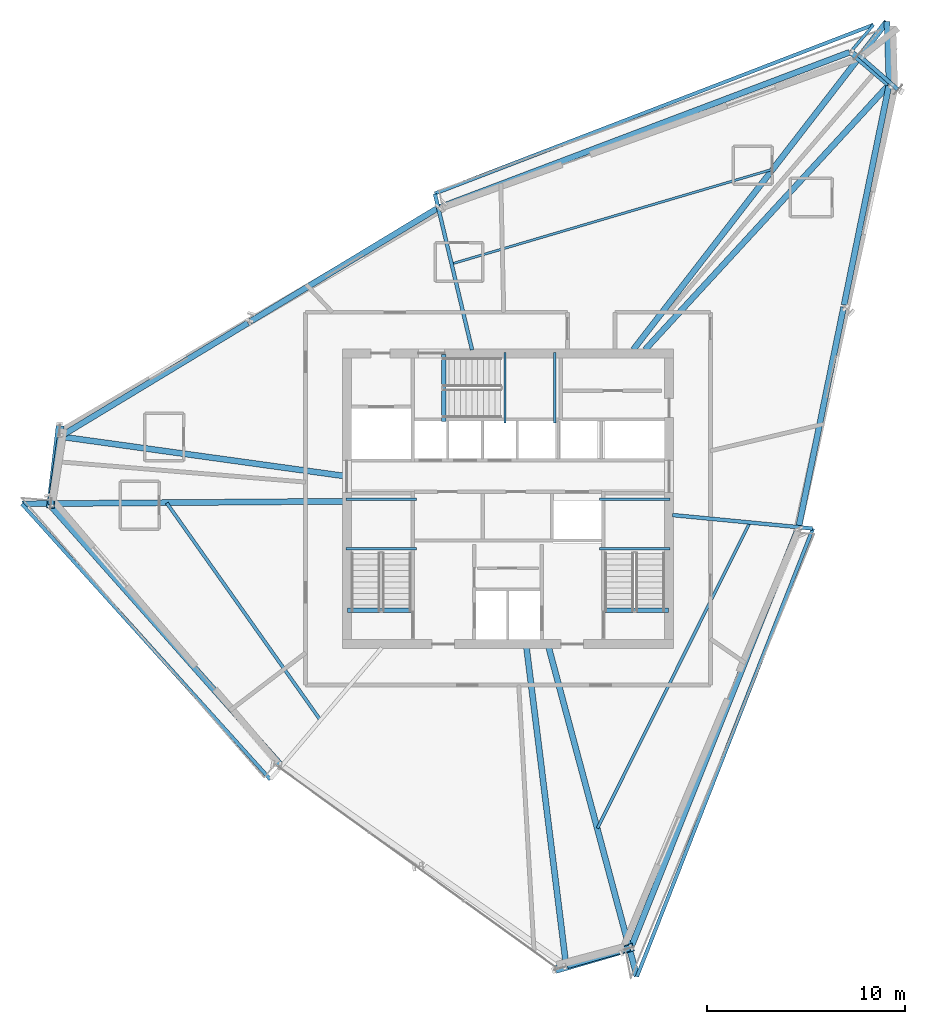
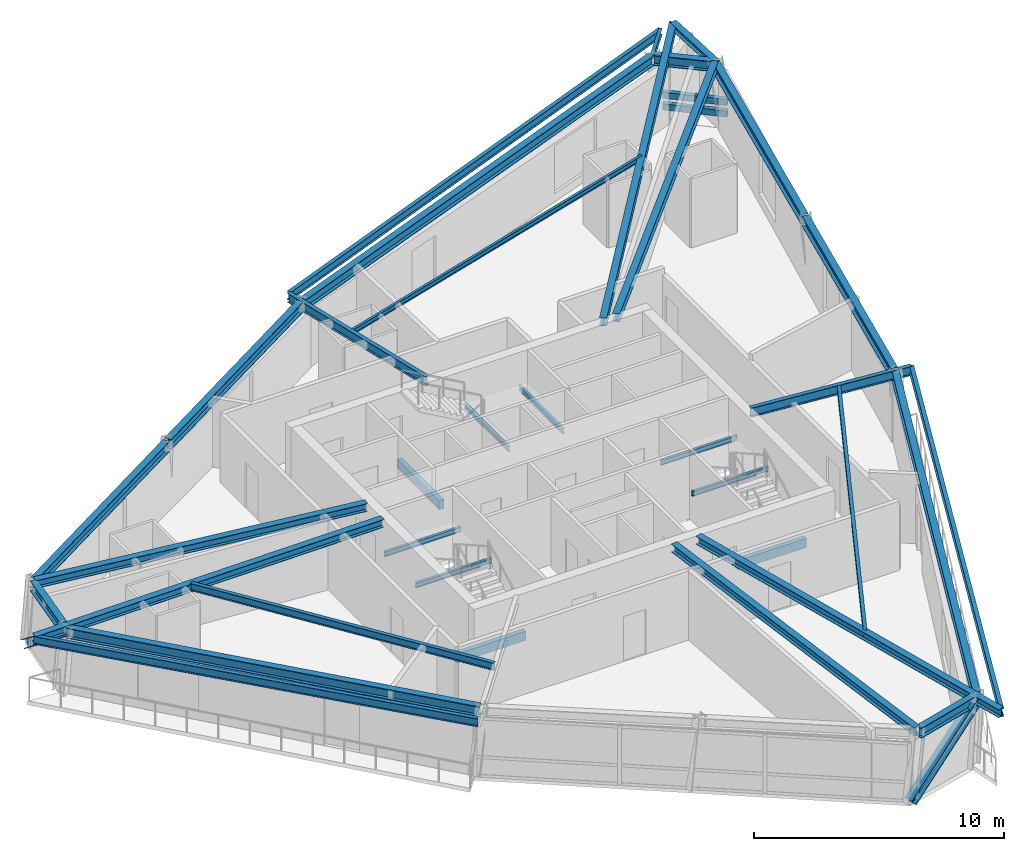
# One storey, part 4 of 14: 35 beams, 4 members.
"""IFC4 building model written with IfcOpenShell, lengths in metres."""

from ifc_helpers import new_model, si_unit, direction, frame, origin, origin_2d, place, context, subcontext, project, spatial, rectangle, hollow_rectangle, i_section, extrude, source, transform, mapped, material, material_profile, profile_set, type_object, element, save


model = new_model("IFC4")

# Units and contexts
model_context = context("Model", 3, precision=1e-05, world=origin(), true_north=direction((0.0, 1.0)))
body_context = subcontext(model_context, "Body", "Model", "MODEL_VIEW")
ifc_project = project(units=[si_unit("LENGTHUNIT", "METRE"), si_unit("AREAUNIT", "SQUARE_METRE"), si_unit("VOLUMEUNIT", "CUBIC_METRE"), si_unit("PLANEANGLEUNIT", "RADIAN"), si_unit("MASSUNIT", "GRAM", prefix="KILO")], contexts=[model_context])

# Site, building, storey
site_placement = place(None, origin())
site = spatial("IfcSite", under=ifc_project, at=site_placement, CompositionType="ELEMENT")
building_placement = place(site_placement, origin())
building = spatial("IfcBuilding", under=site, at=building_placement, Name="Olszyna Solenne Hotel", CompositionType="ELEMENT")
storey_placement = place(building_placement, frame((0.0, 0.0, 234.5)))
storey = spatial("IfcBuildingStorey", under=building, at=storey_placement, Name="L62", CompositionType="ELEMENT", Elevation=234.5)

# Beams
ifc_material_1 = material(Name="Steel S355J2", Category="steel")
ifc_material_profile_1 = material_profile(ifc_material_1, i_section(OverallWidth=0.14990234375, OverallDepth=0.300048828125, WebThickness=0.007080078125, FlangeThickness=0.0107421875, at=origin_2d()), Name="IPE 300", Category="load-bearing")
ifc_profile_set_1 = profile_set([ifc_material_profile_1], Name="Steel S355J2")
beam_type_1 = type_object("IfcBeamType", Name="JS-02", PredefinedType="JOIST", material=ifc_profile_set_1)
shared_shape_1 = source(origin(), body_context, "Body", "SweptSolid", [
    extrude(i_section(OverallWidth=0.14990234375, OverallDepth=0.300048828125, WebThickness=0.007080078125, FlangeThickness=0.0107421875, at=origin_2d()), origin(), (0.0, 0.0, 1.0), 1.760986328125),
])
beam_1_placement = place(storey_placement, frame((55.291015625, 49.144775390625, 3.22998046875), z_axis=(0.643845386227, 0.765155617267, 0.0), x_axis=(-0.765155617267, 0.643845386227, 0.0)))
element("IfcBeam", 1, at=beam_1_placement, inside=storey, type_object=beam_type_1, Name="Loggia side bracket JS-02 B-L62-1851", PredefinedType="JOIST", context=body_context, shape_type="MappedRepresentation", body=[
    mapped(shared_shape_1, transform((0.0, 0.0, 0.0), x_axis=(1.0, 0.0, 0.0), y_axis=(0.0, 1.0, 0.0), z_axis=(0.0, 0.0, 1.0), scale=1.0)),
])
ifc_material_profile_2 = material_profile(ifc_material_1, i_section(OverallWidth=0.300048828125, OverallDepth=0.5, WebThickness=0.014404296875, FlangeThickness=0.028076171875, at=origin_2d()), Name="HEB 500", Category="load-bearing")
ifc_profile_set_2 = profile_set([ifc_material_profile_2], Name="Steel S355J2")
beam_type_2 = type_object("IfcBeamType", Name="BM-S3", PredefinedType="BEAM", material=ifc_profile_set_2)
shared_shape_2 = source(origin(), body_context, "Body", "SweptSolid", [
    extrude(i_section(OverallWidth=0.300048828125, OverallDepth=0.5, WebThickness=0.014404296875, FlangeThickness=0.028076171875, at=origin_2d()), origin(), (0.0, 0.0, 1.0), 2.42236328125),
])
beam_2_placement = place(storey_placement, frame((57.169921875, 47.522216796875, 3.1298828125), z_axis=(-0.762031317947, 0.647540169, 0.0), x_axis=(-0.647540169, -0.762031317947, 0.0)))
element("IfcBeam", 2, at=beam_2_placement, inside=storey, type_object=beam_type_2, Name="Perimeter spandrel beam BM-S3 B-L62-1825", PredefinedType="BEAM", context=body_context, shape_type="MappedRepresentation", body=[
    mapped(shared_shape_2, transform((0.0, 0.0, 0.0), x_axis=(1.0, 0.0, 0.0), y_axis=(0.0, 1.0, 0.0), z_axis=(0.0, 0.0, 1.0), scale=1.0)),
])
shared_shape_3 = source(origin(), body_context, "Body", "SweptSolid", [
    extrude(i_section(OverallWidth=0.300048828125, OverallDepth=0.5, WebThickness=0.014404296875, FlangeThickness=0.028076171875, at=origin_2d()), origin(), (0.0, 0.0, 1.0), 22.13330078125),
])
beam_3_placement = place(storey_placement, frame((55.22216796875, 49.1083984375, 3.1298828125), z_axis=(-0.935270567241, -0.353933561636, 0.0), x_axis=(0.353933561636, -0.935270567241, 0.0)))
element("IfcBeam", 3, at=beam_3_placement, inside=storey, type_object=beam_type_2, Name="Perimeter spandrel beam BM-S3 B-L62-1826", PredefinedType="BEAM", context=body_context, shape_type="MappedRepresentation", body=[
    mapped(shared_shape_3, transform((0.0, 0.0, 0.0), x_axis=(1.0, 0.0, 0.0), y_axis=(0.0, 1.0, 0.0), z_axis=(0.0, 0.0, 1.0), scale=1.0)),
])
shared_shape_4 = source(origin(), body_context, "Body", "SweptSolid", [
    extrude(i_section(OverallWidth=0.300048828125, OverallDepth=0.5, WebThickness=0.014404296875, FlangeThickness=0.028076171875, at=origin_2d()), origin(), (0.0, 0.0, 1.0), 11.006591796875),
])
beam_4_placement = place(storey_placement, frame((34.4140625, 41.222412109375, 3.1298828125), z_axis=(-0.855555150822, -0.517711680283, 0.0), x_axis=(0.517711680283, -0.855555150822, 0.0)))
element("IfcBeam", 4, at=beam_4_placement, inside=storey, type_object=beam_type_2, Name="Perimeter spandrel beam BM-S3 B-L62-1827", PredefinedType="BEAM", context=body_context, shape_type="MappedRepresentation", body=[
    mapped(shared_shape_4, transform((0.0, 0.0, 0.0), x_axis=(1.0, 0.0, 0.0), y_axis=(0.0, 1.0, 0.0), z_axis=(0.0, 0.0, 1.0), scale=1.0)),
])
shared_shape_5 = source(origin(), body_context, "Body", "SweptSolid", [
    extrude(i_section(OverallWidth=0.300048828125, OverallDepth=0.5, WebThickness=0.014404296875, FlangeThickness=0.028076171875, at=origin_2d()), origin(), (0.0, 0.0, 1.0), 11.0068359375),
])
beam_5_placement = place(storey_placement, frame((24.894775390625, 35.4619140625, 3.1298828125), z_axis=(-0.855561095806, -0.51770185565, 0.0), x_axis=(0.51770185565, -0.855561095806, 0.0)))
element("IfcBeam", 5, at=beam_5_placement, inside=storey, type_object=beam_type_2, Name="Perimeter spandrel beam BM-S3 B-L62-1828", PredefinedType="BEAM", context=body_context, shape_type="MappedRepresentation", body=[
    mapped(shared_shape_5, transform((0.0, 0.0, 0.0), x_axis=(1.0, 0.0, 0.0), y_axis=(0.0, 1.0, 0.0), z_axis=(0.0, 0.0, 1.0), scale=1.0)),
])
shared_shape_6 = source(origin(), body_context, "Body", "SweptSolid", [
    extrude(i_section(OverallWidth=0.300048828125, OverallDepth=0.5, WebThickness=0.014404296875, FlangeThickness=0.028076171875, at=origin_2d()), origin(), (0.0, 0.0, 1.0), 3.403564453125),
])
beam_6_placement = place(storey_placement, frame((15.41845703125, 29.673095703125, 3.1298828125), z_axis=(-0.137433490531, -0.990510997254, 0.0), x_axis=(0.990510997254, -0.137433490531, 0.0)))
element("IfcBeam", 6, at=beam_6_placement, inside=storey, type_object=beam_type_2, Name="Perimeter spandrel beam BM-S3 B-L62-1829", PredefinedType="BEAM", context=body_context, shape_type="MappedRepresentation", body=[
    mapped(shared_shape_6, transform((0.0, 0.0, 0.0), x_axis=(1.0, 0.0, 0.0), y_axis=(0.0, 1.0, 0.0), z_axis=(0.0, 0.0, 1.0), scale=1.0)),
])
shared_shape_7 = source(origin(), body_context, "Body", "SweptSolid", [
    extrude(i_section(OverallWidth=0.300048828125, OverallDepth=0.5, WebThickness=0.014404296875, FlangeThickness=0.028076171875, at=origin_2d()), origin(), (0.0, 0.0, 1.0), 17.41748046875),
])
beam_7_placement = place(storey_placement, frame((14.982177734375, 26.197509765625, 3.1298828125), z_axis=(0.664123679476, -0.747622724614, 0.0), x_axis=(0.747622724614, 0.664123679476, 0.0)))
element("IfcBeam", 7, at=beam_7_placement, inside=storey, type_object=beam_type_2, Name="Perimeter spandrel beam BM-S3 B-L62-1830", PredefinedType="BEAM", context=body_context, shape_type="MappedRepresentation", body=[
    mapped(shared_shape_7, transform((0.0, 0.0, 0.0), x_axis=(1.0, 0.0, 0.0), y_axis=(0.0, 1.0, 0.0), z_axis=(0.0, 0.0, 1.0), scale=1.0)),
])
shared_shape_8 = source(origin(), body_context, "Body", "SweptSolid", [
    extrude(i_section(OverallWidth=0.300048828125, OverallDepth=0.5, WebThickness=0.014404296875, FlangeThickness=0.028076171875, at=origin_2d()), origin(), (0.0, 0.0, 1.0), 3.274169921875),
])
beam_8_placement = place(storey_placement, frame((40.993408203125, 3.060302734375, 3.1298828125), z_axis=(0.96220752043, 0.272317255472, 0.0), x_axis=(-0.272317255472, 0.96220752043, 0.0)))
element("IfcBeam", 8, at=beam_8_placement, inside=storey, type_object=beam_type_2, Name="Perimeter spandrel beam BM-S3 B-L62-1833", PredefinedType="BEAM", context=body_context, shape_type="MappedRepresentation", body=[
    mapped(shared_shape_8, transform((0.0, 0.0, 0.0), x_axis=(1.0, 0.0, 0.0), y_axis=(0.0, 1.0, 0.0), z_axis=(0.0, 0.0, 1.0), scale=1.0)),
])
shared_shape_9 = source(origin(), body_context, "Body", "SweptSolid", [
    extrude(i_section(OverallWidth=0.300048828125, OverallDepth=0.5, WebThickness=0.014404296875, FlangeThickness=0.028076171875, at=origin_2d()), origin(), (0.0, 0.0, 1.0), 22.680419921875),
])
beam_9_placement = place(storey_placement, frame((44.2236328125, 4.023681640625, 3.1298828125), z_axis=(0.370564639738, 0.928806679442, 0.0), x_axis=(-0.928806679442, 0.370564639738, 0.0)))
element("IfcBeam", 9, at=beam_9_placement, inside=storey, type_object=beam_type_2, Name="Perimeter spandrel beam BM-S3 B-L62-1834", PredefinedType="BEAM", context=body_context, shape_type="MappedRepresentation", body=[
    mapped(shared_shape_9, transform((0.0, 0.0, 0.0), x_axis=(1.0, 0.0, 0.0), y_axis=(0.0, 1.0, 0.0), z_axis=(0.0, 0.0, 1.0), scale=1.0)),
])
shared_shape_10 = source(origin(), body_context, "Body", "SweptSolid", [
    extrude(i_section(OverallWidth=0.300048828125, OverallDepth=0.5, WebThickness=0.014404296875, FlangeThickness=0.028076171875, at=origin_2d()), origin(), (0.0, 0.0, 1.0), 11.2802734375),
])
for number, where, z_axis, x_axis, name in (
    (10, (52.662353515625, 25.203857421875, 3.1298828125), (0.200222485417, 0.979750456154, 0.0), (-0.979750456154, 0.200222485417, 0.0), "Perimeter spandrel beam BM-S3 B-L62-1835"),
    (11, (54.945068359375, 36.373046875, 3.1298828125), (0.200222485417, 0.979750456154, 0.0), (-0.979750456154, 0.200222485417, 0.0), "Perimeter spandrel beam BM-S3 B-L62-1836"),
):
    element("IfcBeam", number, at=place(storey_placement, frame(where, z_axis=z_axis, x_axis=x_axis)), inside=storey, type_object=beam_type_2, Name=name, PredefinedType="BEAM", context=body_context, shape_type="MappedRepresentation", body=[
        mapped(shared_shape_10, transform((0.0, 0.0, 0.0), x_axis=(1.0, 0.0, 0.0), y_axis=(0.0, 1.0, 0.0), z_axis=(0.0, 0.0, 1.0), scale=1.0)),
    ])
ifc_material_profile_3 = material_profile(ifc_material_1, i_section(OverallWidth=0.300048828125, OverallDepth=0.389892578125, WebThickness=0.010986328125, FlangeThickness=0.01904296875, at=origin_2d()), Name="HEA 400", Category="load-bearing")
ifc_profile_set_3 = profile_set([ifc_material_profile_3], Name="Steel S355J2")
beam_type_3 = type_object("IfcBeamType", Name="BM-G2", PredefinedType="BEAM", material=ifc_profile_set_3)
shared_shape_11 = source(origin(), body_context, "Body", "SweptSolid", [
    extrude(i_section(OverallWidth=0.300048828125, OverallDepth=0.389892578125, WebThickness=0.010986328125, FlangeThickness=0.01904296875, at=origin_2d()), origin(), (0.0, 0.0, 1.0), 18.10888671875),
])
beam_10_placement = place(storey_placement, frame((57.175048828125, 47.439208984375, 3.18505859375), z_axis=(-0.677119614393, -0.735872969883, 0.0), x_axis=(0.735872969883, -0.677119614393, 0.0)))
element("IfcBeam", 12, at=beam_10_placement, inside=storey, type_object=beam_type_3, Name="Radial floor girder BM-G2 B-L62-1837", PredefinedType="BEAM", context=body_context, shape_type="MappedRepresentation", body=[
    mapped(shared_shape_11, transform((0.0, 0.0, 0.0), x_axis=(1.0, 0.0, 0.0), y_axis=(0.0, 1.0, 0.0), z_axis=(0.0, 0.0, 1.0), scale=1.0)),
])
shared_shape_12 = source(origin(), body_context, "Body", "SweptSolid", [
    extrude(i_section(OverallWidth=0.300048828125, OverallDepth=0.389892578125, WebThickness=0.010986328125, FlangeThickness=0.01904296875, at=origin_2d()), origin(), (0.0, 0.0, 1.0), 20.895751953125),
])
beam_11_placement = place(storey_placement, frame((57.09619140625, 50.642333984375, 3.18505859375), z_axis=(-0.611691878758, -0.791096103809, 0.0), x_axis=(0.791096103809, -0.611691878758, 0.0)))
element("IfcBeam", 13, at=beam_11_placement, inside=storey, type_object=beam_type_3, Name="Radial floor girder BM-G2 B-L62-1838", PredefinedType="BEAM", context=body_context, shape_type="MappedRepresentation", body=[
    mapped(shared_shape_12, transform((0.0, 0.0, 0.0), x_axis=(1.0, 0.0, 0.0), y_axis=(0.0, 1.0, 0.0), z_axis=(0.0, 0.0, 1.0), scale=1.0)),
])
ifc_material_profile_4 = material_profile(ifc_material_1, i_section(OverallWidth=0.18994140625, OverallDepth=0.449951171875, WebThickness=0.009521484375, FlangeThickness=0.0146484375, at=origin_2d()), Name="IPE 450", Category="load-bearing")
ifc_profile_set_4 = profile_set([ifc_material_profile_4], Name="Steel S355J2")
beam_type_4 = type_object("IfcBeamType", Name="BM-F4", PredefinedType="BEAM", material=ifc_profile_set_4)
shared_shape_13 = source(origin(), body_context, "Body", "SweptSolid", [
    extrude(i_section(OverallWidth=0.18994140625, OverallDepth=0.449951171875, WebThickness=0.009521484375, FlangeThickness=0.0146484375, at=origin_2d()), origin(), (0.0, 0.0, 1.0), 8.08349609375),
])
beam_12_placement = place(storey_placement, frame((34.319091796875, 41.965087890625, 3.155029296875), z_axis=(0.231533418342, -0.972826950794, 0.0), x_axis=(0.972826950794, 0.231533418342, 0.0)))
element("IfcBeam", 14, at=beam_12_placement, inside=storey, type_object=beam_type_4, Name="Radial floor girder BM-F4 B-L62-1839", PredefinedType="BEAM", context=body_context, shape_type="MappedRepresentation", body=[
    mapped(shared_shape_13, transform((0.0, 0.0, 0.0), x_axis=(1.0, 0.0, 0.0), y_axis=(0.0, 1.0, 0.0), z_axis=(0.0, 0.0, 1.0), scale=1.0)),
])
shared_shape_14 = source(origin(), body_context, "Body", "SweptSolid", [
    extrude(i_section(OverallWidth=0.300048828125, OverallDepth=0.389892578125, WebThickness=0.010986328125, FlangeThickness=0.01904296875, at=origin_2d()), origin(), (0.0, 0.0, 1.0), 14.349609375),
])
beam_13_placement = place(storey_placement, frame((15.486083984375, 29.724365234375, 3.18505859375), z_axis=(0.990508108356, -0.137454309791, 0.0), x_axis=(0.137454309791, 0.990508108356, 0.0)))
element("IfcBeam", 15, at=beam_13_placement, inside=storey, type_object=beam_type_3, Name="Radial floor girder BM-G2 B-L62-1840", PredefinedType="BEAM", context=body_context, shape_type="MappedRepresentation", body=[
    mapped(shared_shape_14, transform((0.0, 0.0, 0.0), x_axis=(1.0, 0.0, 0.0), y_axis=(0.0, 1.0, 0.0), z_axis=(0.0, 0.0, 1.0), scale=1.0)),
])
shared_shape_15 = source(origin(), body_context, "Body", "SweptSolid", [
    extrude(i_section(OverallWidth=0.300048828125, OverallDepth=0.389892578125, WebThickness=0.010986328125, FlangeThickness=0.01904296875, at=origin_2d()), origin(), (0.0, 0.0, 1.0), 16.1865234375),
])
beam_14_placement = place(storey_placement, frame((13.513916015625, 26.34228515625, 3.18505859375), z_axis=(0.999968288533, 0.007963788596, 0.0), x_axis=(-0.007963788596, 0.999968288533, 0.0)))
element("IfcBeam", 16, at=beam_14_placement, inside=storey, type_object=beam_type_3, Name="Radial floor girder BM-G2 B-L62-1841", PredefinedType="BEAM", context=body_context, shape_type="MappedRepresentation", body=[
    mapped(shared_shape_15, transform((0.0, 0.0, 0.0), x_axis=(1.0, 0.0, 0.0), y_axis=(0.0, 1.0, 0.0), z_axis=(0.0, 0.0, 1.0), scale=1.0)),
])
shared_shape_16 = source(origin(), body_context, "Body", "SweptSolid", [
    extrude(i_section(OverallWidth=0.300048828125, OverallDepth=0.389892578125, WebThickness=0.010986328125, FlangeThickness=0.01904296875, at=origin_2d()), origin(), (0.0, 0.0, 1.0), 16.119873046875),
])
beam_15_placement = place(storey_placement, frame((40.92822265625, 3.103515625, 3.18505859375), z_axis=(-0.123661916815, 0.992324407807, 0.0), x_axis=(-0.992324407807, -0.123661916815, 0.0)))
element("IfcBeam", 17, at=beam_15_placement, inside=storey, type_object=beam_type_3, Name="Radial floor girder BM-G2 B-L62-1843", PredefinedType="BEAM", context=body_context, shape_type="MappedRepresentation", body=[
    mapped(shared_shape_16, transform((0.0, 0.0, 0.0), x_axis=(1.0, 0.0, 0.0), y_axis=(0.0, 1.0, 0.0), z_axis=(0.0, 0.0, 1.0), scale=1.0)),
])
shared_shape_17 = source(origin(), body_context, "Body", "SweptSolid", [
    extrude(i_section(OverallWidth=0.300048828125, OverallDepth=0.389892578125, WebThickness=0.010986328125, FlangeThickness=0.01904296875, at=origin_2d()), origin(), (0.0, 0.0, 1.0), 17.158203125),
])
beam_16_placement = place(storey_placement, frame((44.498046875, 2.52490234375, 3.18505859375), z_axis=(-0.258905826793, 0.965902569027, 0.0), x_axis=(-0.965902569027, -0.258905826793, 0.0)))
element("IfcBeam", 18, at=beam_16_placement, inside=storey, type_object=beam_type_3, Name="Radial floor girder BM-G2 B-L62-1844", PredefinedType="BEAM", context=body_context, shape_type="MappedRepresentation", body=[
    mapped(shared_shape_17, transform((0.0, 0.0, 0.0), x_axis=(1.0, 0.0, 0.0), y_axis=(0.0, 1.0, 0.0), z_axis=(0.0, 0.0, 1.0), scale=1.0)),
])
shared_shape_18 = source(origin(), body_context, "Body", "SweptSolid", [
    extrude(i_section(OverallWidth=0.18994140625, OverallDepth=0.449951171875, WebThickness=0.009521484375, FlangeThickness=0.0146484375, at=origin_2d()), origin(), (0.0, 0.0, 1.0), 7.0869140625),
])
beam_17_placement = place(storey_placement, frame((53.354736328125, 25.09716796875, 3.155029296875), z_axis=(-0.995406946013, 0.095734068281, 0.0), x_axis=(-0.095734068281, -0.995406946013, 0.0)))
element("IfcBeam", 19, at=beam_17_placement, inside=storey, type_object=beam_type_4, Name="Radial floor girder BM-F4 B-L62-1845", PredefinedType="BEAM", context=body_context, shape_type="MappedRepresentation", body=[
    mapped(shared_shape_18, transform((0.0, 0.0, 0.0), x_axis=(1.0, 0.0, 0.0), y_axis=(0.0, 1.0, 0.0), z_axis=(0.0, 0.0, 1.0), scale=1.0)),
])
ifc_material_profile_5 = material_profile(ifc_material_1, i_section(OverallWidth=0.300048828125, OverallDepth=0.31005859375, WebThickness=0.009033203125, FlangeThickness=0.015380859375, at=origin_2d()), Name="HEA 320", Category="load-bearing")
ifc_profile_set_5 = profile_set([ifc_material_profile_5], Name="Steel S355J2")
beam_type_5 = type_object("IfcBeamType", Name="BM-G3", PredefinedType="BEAM", material=ifc_profile_set_5)
shared_shape_19 = source(origin(), body_context, "Body", "SweptSolid", [
    extrude(i_section(OverallWidth=0.300048828125, OverallDepth=0.31005859375, WebThickness=0.009033203125, FlangeThickness=0.015380859375, at=origin_2d()), origin(), (0.0, 0.0, 1.0), 3.176513671875),
])
beam_18_placement = place(storey_placement, frame((57.2158203125, 47.4833984375, 3.22509765625), z_axis=(-0.033816390911, 0.999428062296, 0.0), x_axis=(-0.999428062296, -0.033816390911, 0.0)))
element("IfcBeam", 20, at=beam_18_placement, inside=storey, type_object=beam_type_5, Name="Prism side edge beam BM-G3 B-L62-1846", PredefinedType="BEAM", context=body_context, shape_type="MappedRepresentation", body=[
    mapped(shared_shape_19, transform((0.0, 0.0, 0.0), x_axis=(1.0, 0.0, 0.0), y_axis=(0.0, 1.0, 0.0), z_axis=(0.0, 0.0, 1.0), scale=1.0)),
])
ifc_material_profile_6 = material_profile(ifc_material_1, i_section(OverallWidth=0.1201171875, OverallDepth=0.239990234375, WebThickness=0.006103515625, FlangeThickness=0.009765625, at=origin_2d()), Name="IPE 240", Category="load-bearing")
ifc_profile_set_6 = profile_set([ifc_material_profile_6], Name="Steel S355J2")
beam_type_6 = type_object("IfcBeamType", Name="JS-03", PredefinedType="JOIST", material=ifc_profile_set_6)
shared_shape_20 = source(origin(), body_context, "Body", "SweptSolid", [
    extrude(i_section(OverallWidth=0.1201171875, OverallDepth=0.239990234375, WebThickness=0.006103515625, FlangeThickness=0.009765625, at=origin_2d()), origin(), (0.0, 0.0, 1.0), 16.841552734375),
])
beam_19_placement = place(storey_placement, frame((51.331787109375, 43.20654296875, 3.260009765625), z_axis=(-0.9591635082, -0.282852195569, 0.0), x_axis=(0.282852195569, -0.9591635082, 0.0)))
element("IfcBeam", 21, at=beam_19_placement, inside=storey, type_object=beam_type_6, Name="Secondary composite floor joist JS-03 B-L62-1847", PredefinedType="JOIST", context=body_context, shape_type="MappedRepresentation", body=[
    mapped(shared_shape_20, transform((0.0, 0.0, 0.0), x_axis=(1.0, 0.0, 0.0), y_axis=(0.0, 1.0, 0.0), z_axis=(0.0, 0.0, 1.0), scale=1.0)),
])
ifc_material_profile_7 = material_profile(ifc_material_1, i_section(OverallWidth=0.169921875, OverallDepth=0.360107421875, WebThickness=0.008056640625, FlangeThickness=0.0126953125, at=origin_2d()), Name="IPE 360", Category="load-bearing")
ifc_profile_set_7 = profile_set([ifc_material_profile_7], Name="Steel S355J2")
beam_type_7 = type_object("IfcBeamType", Name="JS-01", PredefinedType="JOIST", material=ifc_profile_set_7)
shared_shape_21 = source(origin(), body_context, "Body", "SweptSolid", [
    extrude(i_section(OverallWidth=0.169921875, OverallDepth=0.360107421875, WebThickness=0.008056640625, FlangeThickness=0.0126953125, at=origin_2d()), origin(), (0.0, 0.0, 1.0), 13.390625),
])
beam_20_placement = place(storey_placement, frame((20.79833984375, 26.3837890625, 3.199951171875), z_axis=(0.577655587875, -0.816280602365, 0.0), x_axis=(0.816280602365, 0.577655587875, 0.0)))
element("IfcBeam", 22, at=beam_20_placement, inside=storey, type_object=beam_type_7, Name="Secondary composite floor joist JS-01 B-L62-1848", PredefinedType="JOIST", context=body_context, shape_type="MappedRepresentation", body=[
    mapped(shared_shape_21, transform((0.0, 0.0, 0.0), x_axis=(1.0, 0.0, 0.0), y_axis=(0.0, 1.0, 0.0), z_axis=(0.0, 0.0, 1.0), scale=1.0)),
])
shared_shape_22 = source(origin(), body_context, "Body", "SweptSolid", [
    extrude(i_section(OverallWidth=0.14990234375, OverallDepth=0.300048828125, WebThickness=0.007080078125, FlangeThickness=0.0107421875, at=origin_2d()), origin(), (0.0, 0.0, 1.0), 17.198974609375),
])
beam_21_placement = place(storey_placement, frame((42.5107421875, 9.990234375, 3.22998046875), z_axis=(0.446037856608, 0.895014095125, 0.0), x_axis=(-0.895014095125, 0.446037856608, 0.0)))
element("IfcBeam", 23, at=beam_21_placement, inside=storey, type_object=beam_type_1, Name="Secondary composite floor joist JS-02 B-L62-1849", PredefinedType="JOIST", context=body_context, shape_type="MappedRepresentation", body=[
    mapped(shared_shape_22, transform((0.0, 0.0, 0.0), x_axis=(1.0, 0.0, 0.0), y_axis=(0.0, 1.0, 0.0), z_axis=(0.0, 0.0, 1.0), scale=1.0)),
])
ifc_material_profile_8 = material_profile(ifc_material_1, i_section(OverallWidth=0.179931640625, OverallDepth=0.39990234375, WebThickness=0.008544921875, FlangeThickness=0.013427734375, at=origin_2d()), Name="IPE 400", Category="load-bearing")
ifc_profile_set_8 = profile_set([ifc_material_profile_8], Name="Steel S355J2")
beam_type_8 = type_object("IfcBeamType", Name="BM-F5", PredefinedType="BEAM", material=ifc_profile_set_8)
shared_shape_23 = source(origin(), body_context, "Body", "SweptSolid", [
    extrude(i_section(OverallWidth=0.179931640625, OverallDepth=0.39990234375, WebThickness=0.008544921875, FlangeThickness=0.013427734375, at=origin_2d()), origin(), (0.0, 0.0, 1.0), 23.690673828125),
])
beam_22_placement = place(storey_placement, frame((56.4248046875, 50.4921875, 3.179931640625), z_axis=(-0.933294866876, -0.359110973743, 0.0), x_axis=(0.359110973743, -0.933294866876, 0.0)))
element("IfcBeam", 24, at=beam_22_placement, inside=storey, type_object=beam_type_8, Name="Loggia outer edge beam BM-F5 B-L62-1850", PredefinedType="BEAM", context=body_context, shape_type="MappedRepresentation", body=[
    mapped(shared_shape_23, transform((0.0, 0.0, 0.0), x_axis=(1.0, 0.0, 0.0), y_axis=(0.0, 1.0, 0.0), z_axis=(0.0, 0.0, 1.0), scale=1.0)),
])
shared_shape_24 = source(origin(), body_context, "Body", "SweptSolid", [
    extrude(i_section(OverallWidth=0.179931640625, OverallDepth=0.39990234375, WebThickness=0.008544921875, FlangeThickness=0.013427734375, at=origin_2d()), origin(), (0.0, 0.0, 1.0), 18.703125),
])
beam_23_placement = place(storey_placement, frame((13.493896484375, 26.342041015625, 3.179931640625), z_axis=(0.669529230476, -0.742785709029, 0.0), x_axis=(0.742785709029, 0.669529230476, 0.0)))
element("IfcBeam", 25, at=beam_23_placement, inside=storey, type_object=beam_type_8, Name="Loggia outer edge beam BM-F5 B-L62-1852", PredefinedType="BEAM", context=body_context, shape_type="MappedRepresentation", body=[
    mapped(shared_shape_24, transform((0.0, 0.0, 0.0), x_axis=(1.0, 0.0, 0.0), y_axis=(0.0, 1.0, 0.0), z_axis=(0.0, 0.0, 1.0), scale=1.0)),
])
shared_shape_25 = source(origin(), body_context, "Body", "SweptSolid", [
    extrude(i_section(OverallWidth=0.179931640625, OverallDepth=0.39990234375, WebThickness=0.008544921875, FlangeThickness=0.013427734375, at=origin_2d()), origin(), (0.0, 0.0, 1.0), 24.26904296875),
])
beam_24_placement = place(storey_placement, frame((44.503173828125, 2.505615234375, 3.179931640625), z_axis=(0.365540012145, 0.93079562715, 0.0), x_axis=(-0.93079562715, 0.365540012145, 0.0)))
element("IfcBeam", 26, at=beam_24_placement, inside=storey, type_object=beam_type_8, Name="Loggia outer edge beam BM-F5 B-L62-1853", PredefinedType="BEAM", context=body_context, shape_type="MappedRepresentation", body=[
    mapped(shared_shape_25, transform((0.0, 0.0, 0.0), x_axis=(1.0, 0.0, 0.0), y_axis=(0.0, 1.0, 0.0), z_axis=(0.0, 0.0, 1.0), scale=1.0)),
])

# Members
ifc_material_profile_9 = material_profile(ifc_material_1, hollow_rectangle(XDim=0.199951171875, YDim=0.300048828125, WallThickness=0.01611328125, at=origin_2d()), Name="RHS 300x200x16", Category="load-bearing")
ifc_profile_set_9 = profile_set([ifc_material_profile_9], Name="Steel S355J2")
member_type_1 = type_object("IfcMemberType", Name="CH-PR1", PredefinedType="CHORD", material=ifc_profile_set_9)
shared_shape_26 = source(origin(), body_context, "Body", "SweptSolid", [
    extrude(hollow_rectangle(XDim=0.199951171875, YDim=0.300048828125, WallThickness=0.01611328125, at=origin_2d()), origin(), (0.0, 0.0, 1.0), 2.640869140625),
])
for number, where, z_axis, x_axis, name in (
    (27, (57.652587890625, 47.23291015625, 1.35009765625), (-0.751906237866, 0.659270058063, 0.0), (-0.659270058063, -0.751906237866, 0.0), "Glass-prism tie chord CH-PR1 M-L62-PR1"),
    (28, (57.652587890625, 47.23291015625, 0.780029296875), (-0.751906237866, 0.659270058063, 0.0), (-0.659270058063, -0.751906237866, 0.0), "Glass-prism tie chord CH-PR1 M-L62-PR2"),
):
    element("IfcMember", number, at=place(storey_placement, frame(where, z_axis=z_axis, x_axis=x_axis)), inside=storey, type_object=member_type_1, Name=name, PredefinedType="CHORD", context=body_context, shape_type="MappedRepresentation", body=[
        mapped(shared_shape_26, transform((0.0, 0.0, 0.0), x_axis=(1.0, 0.0, 0.0), y_axis=(0.0, 1.0, 0.0), z_axis=(0.0, 0.0, 1.0), scale=1.0)),
    ])
ifc_material_2 = material(Name="Steel S460M", Category="steel")
ifc_material_profile_10 = material_profile(ifc_material_2, i_section(OverallWidth=0.40087890625, OverallDepth=0.39892578125, WebThickness=0.02197265625, FlangeThickness=0.034423828125, at=origin_2d()), Name="HD 400x314", Category="load-bearing")
ifc_profile_set_10 = profile_set([ifc_material_profile_10], Name="Steel S460M")
member_type_2 = type_object("IfcMemberType", Name="BR-T3", PredefinedType="BRACE", material=ifc_profile_set_10)
shared_shape_27 = source(origin(), body_context, "Body", "SweptSolid", [
    extrude(i_section(OverallWidth=0.40087890625, OverallDepth=0.39892578125, WebThickness=0.02197265625, FlangeThickness=0.034423828125, at=origin_2d()), origin(), (0.0, 0.0, 1.0), 5.009521484375),
])
member_1_placement = place(storey_placement, frame((15.406005859375, 30.154052734375, 0.010009765625), z_axis=(-0.092549726858, -0.780848722341, 0.617826691619), x_axis=(0.993049117731, -0.117700678727, 0.0)))
element("IfcMember", 29, at=member_1_placement, inside=storey, type_object=member_type_2, Name="Perimeter braced-tube diagonal BR-T3 BR-L62-2", PredefinedType="BRACE", context=body_context, shape_type="MappedRepresentation", body=[
    mapped(shared_shape_27, transform((0.0, 0.0, 0.0), x_axis=(1.0, 0.0, 0.0), y_axis=(0.0, 1.0, 0.0), z_axis=(0.0, 0.0, 1.0), scale=1.0)),
])
shared_shape_28 = source(origin(), body_context, "Body", "SweptSolid", [
    extrude(i_section(OverallWidth=0.40087890625, OverallDepth=0.39892578125, WebThickness=0.02197265625, FlangeThickness=0.034423828125, at=origin_2d()), origin(), (0.0, 0.0, 1.0), 4.934326171875),
])
member_2_placement = place(storey_placement, frame((40.510498046875, 2.897705078125, 0.010009765625), z_axis=(0.748012916074, 0.216912860436, 0.62723638954), x_axis=(-0.278511558051, 0.960432877421, 0.0)))
element("IfcMember", 30, at=member_2_placement, inside=storey, type_object=member_type_2, Name="Perimeter braced-tube diagonal BR-T3 BR-L62-3", PredefinedType="BRACE", context=body_context, shape_type="MappedRepresentation", body=[
    mapped(shared_shape_28, transform((0.0, 0.0, 0.0), x_axis=(1.0, 0.0, 0.0), y_axis=(0.0, 1.0, 0.0), z_axis=(0.0, 0.0, 1.0), scale=1.0)),
])

# Beams
shared_shape_29 = source(origin(), body_context, "Body", "SweptSolid", [
    extrude(i_section(OverallWidth=0.1201171875, OverallDepth=0.239990234375, WebThickness=0.006103515625, FlangeThickness=0.009765625, at=origin_2d()), origin(), (0.0, 0.0, 1.0), 3.539794921875),
])
for number, where, z_axis, x_axis, name in (
    (31, (33.3798828125, 24.070068359375, 1.47509765625), (-1.0, 0.0, 0.0), (0.0, -1.0, 0.0), "Stair landing support beam JS-03 SLB-ST1-0129"),
    (32, (33.3798828125, 26.580078125, 1.47509765625), (-1.0, 0.0, 0.0), (0.0, -1.0, 0.0), "Stair landing support beam JS-03 SLB-ST1-0130"),
    (33, (46.159912109375, 24.070068359375, 1.47509765625), (-1.0, 0.0, 0.0), (0.0, -1.0, 0.0), "Stair landing support beam JS-03 SLB-ST2-0369"),
    (34, (46.159912109375, 26.580078125, 1.47509765625), (-1.0, 0.0, 0.0), (0.0, -1.0, 0.0), "Stair landing support beam JS-03 SLB-ST2-0370"),
):
    element("IfcBeam", number, at=place(storey_placement, frame(where, z_axis=z_axis, x_axis=x_axis)), inside=storey, type_object=beam_type_6, Name=name, PredefinedType="JOIST", context=body_context, shape_type="MappedRepresentation", body=[
        mapped(shared_shape_29, transform((0.0, 0.0, 0.0), x_axis=(1.0, 0.0, 0.0), y_axis=(0.0, 1.0, 0.0), z_axis=(0.0, 0.0, 1.0), scale=1.0)),
    ])
ifc_material_3 = material(Name="Concrete C50/60", Category="concrete")
ifc_material_profile_11 = material_profile(ifc_material_3, rectangle(XDim=0.219970703125, YDim=0.43994140625, at=origin_2d()), Name="RC 220x440", Category="load-bearing")
ifc_profile_set_11 = profile_set([ifc_material_profile_11], Name="Concrete C50/60")
beam_type_9 = type_object("IfcBeamType", Name="BM-ST1", PredefinedType="BEAM", material=ifc_profile_set_11)
shared_shape_30 = source(origin(), body_context, "Body", "SweptSolid", [
    extrude(rectangle(XDim=0.219970703125, YDim=0.43994140625, at=origin_2d()), origin(), (0.0, 0.0, 1.0), 3.18017578125),
])
for number, where, z_axis, x_axis, name in (
    (35, (33.10009765625, 20.97998046875, -0.205078125), (-1.0, 0.0, 0.0), (0.0, -1.0, 0.0), "Concrete stair trimmer beam BM-ST1 SHB-ST1-0224"),
    (36, (46.080078125, 20.97998046875, -0.205078125), (-1.0, 0.0, 0.0), (0.0, -1.0, 0.0), "Concrete stair trimmer beam BM-ST1 SHB-ST2-0464"),
):
    element("IfcBeam", number, at=place(storey_placement, frame(where, z_axis=z_axis, x_axis=x_axis)), inside=storey, type_object=beam_type_9, Name=name, PredefinedType="BEAM", context=body_context, shape_type="MappedRepresentation", body=[
        mapped(shared_shape_30, transform((0.0, 0.0, 0.0), x_axis=(1.0, 0.0, 0.0), y_axis=(0.0, 1.0, 0.0), z_axis=(0.0, 0.0, 1.0), scale=1.0)),
    ])
shared_shape_31 = source(origin(), body_context, "Body", "SweptSolid", [
    extrude(i_section(OverallWidth=0.1201171875, OverallDepth=0.239990234375, WebThickness=0.006103515625, FlangeThickness=0.009765625, at=origin_2d()), origin(), (0.0, 0.0, 1.0), 3.5400390625),
])
for number, where, z_axis, x_axis, name in (
    (37, (37.85009765625, 30.419921875, 1.47509765625), (0.0, 1.0, 0.0), (-1.0, 0.0, 0.0), "Stair landing support beam JS-03 SLB-ST3-0609"),
    (38, (40.360107421875, 30.419921875, 1.47509765625), (0.0, 1.0, 0.0), (-1.0, 0.0, 0.0), "Stair landing support beam JS-03 SLB-ST3-0610"),
):
    element("IfcBeam", number, at=place(storey_placement, frame(where, z_axis=z_axis, x_axis=x_axis)), inside=storey, type_object=beam_type_6, Name=name, PredefinedType="JOIST", context=body_context, shape_type="MappedRepresentation", body=[
        mapped(shared_shape_31, transform((0.0, 0.0, 0.0), x_axis=(1.0, 0.0, 0.0), y_axis=(0.0, 1.0, 0.0), z_axis=(0.0, 0.0, 1.0), scale=1.0)),
    ])
shared_shape_32 = source(origin(), body_context, "Body", "SweptSolid", [
    extrude(rectangle(XDim=0.219970703125, YDim=0.43994140625, at=origin_2d()), origin(), (0.0, 0.0, 1.0), 3.3798828125),
])
beam_25_placement = place(storey_placement, frame((34.760009765625, 30.5, -0.205078125), z_axis=(0.0, 1.0, 0.0), x_axis=(-1.0, 0.0, 0.0)))
element("IfcBeam", 39, at=beam_25_placement, inside=storey, type_object=beam_type_9, Name="Concrete stair trimmer beam BM-ST1 SHB-ST3-0702", PredefinedType="BEAM", context=body_context, shape_type="MappedRepresentation", body=[
    mapped(shared_shape_32, transform((0.0, 0.0, 0.0), x_axis=(1.0, 0.0, 0.0), y_axis=(0.0, 1.0, 0.0), z_axis=(0.0, 0.0, 1.0), scale=1.0)),
])

save(model, "model.ifc")
